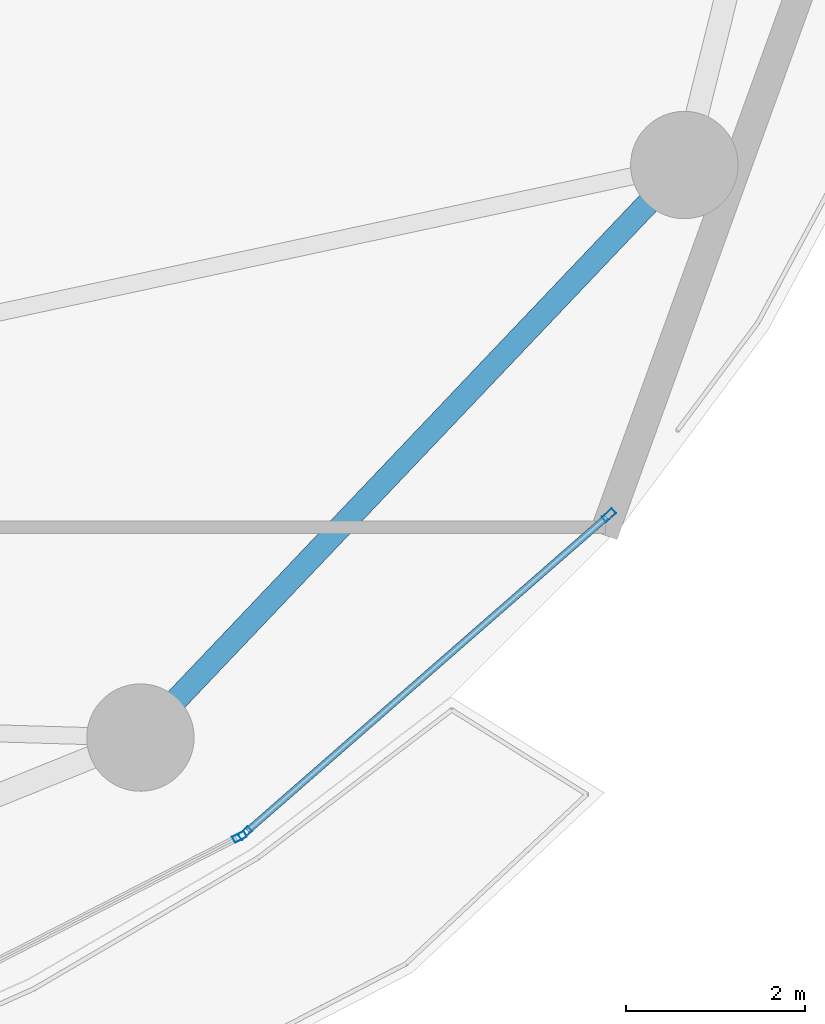
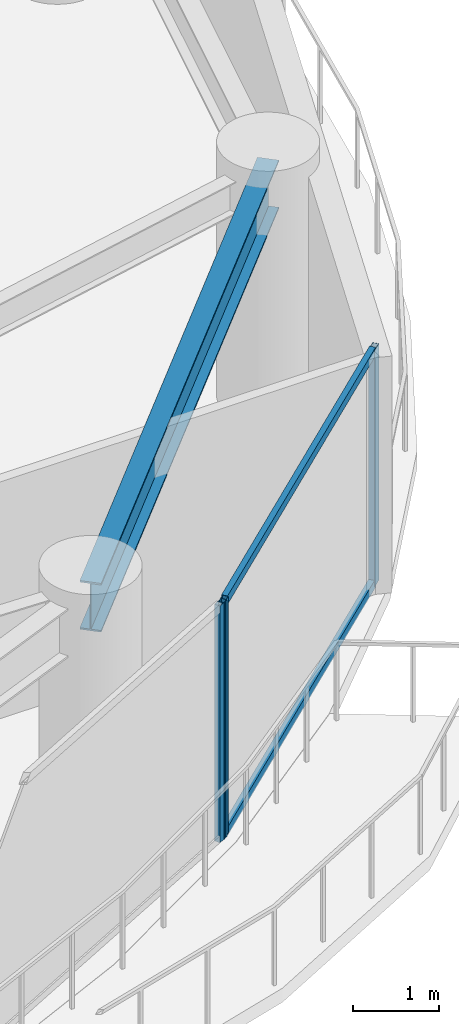
# One storey, part 13 of 30: 5 members, 1 beam, 2 elements without a shape of their own.
"""IFC4 building model written with IfcOpenShell, lengths in metres."""

from ifc_helpers import new_model, si_unit, direction, frame, origin, origin_2d, place, context, subcontext, project, spatial, hollow_rectangle, i_section, extrude, material, layer, layer_set, material_profile, profile_set, type_object, element, aggregate, save


model = new_model("IFC4")

# Units and contexts
model_context = context("Model", 3, precision=1e-05, world=origin(), true_north=direction((0.0, 1.0)))
body_context = subcontext(model_context, "Body", "Model", "MODEL_VIEW")
ifc_project = project(units=[si_unit("LENGTHUNIT", "METRE"), si_unit("AREAUNIT", "SQUARE_METRE"), si_unit("VOLUMEUNIT", "CUBIC_METRE"), si_unit("PLANEANGLEUNIT", "RADIAN"), si_unit("MASSUNIT", "GRAM", prefix="KILO")], contexts=[model_context])

# Site, building, storey
site_placement = place(None, origin())
site = spatial("IfcSite", under=ifc_project, at=site_placement, CompositionType="ELEMENT")
building_placement = place(site_placement, origin())
building = spatial("IfcBuilding", under=site, at=building_placement, Name="Kazevale Care Tower and Concert Hall", CompositionType="ELEMENT")
storey_placement = place(building_placement, frame((0.0, 0.0, 127.800048828125)))
storey = spatial("IfcBuildingStorey", under=building, at=storey_placement, Name="L33", CompositionType="ELEMENT", Elevation=127.800048828125)

# Curtain wall, members
ifc_material_1 = material(Name="Aluminium 6063-T6 and Low-E Glass", Category="aluminium")
ifc_layer = layer(ifc_material_1, 0.179931640625)
ifc_layer_set = layer_set([ifc_layer], Name="Aluminium 6063-T6 and Low-E Glass")
curtain_wall_type = type_object("IfcCurtainWallType", Name="Sheltered Concave Balcony Curtain Wall CW-5", PredefinedType="NOTDEFINED", material=ifc_layer_set)
curtain_wall_1_placement = place(storey_placement, origin())
curtain_wall_1 = element("IfcCurtainWall", 1, at=curtain_wall_1_placement, inside=storey, type_object=curtain_wall_type, Name="cw:L33:f02", PredefinedType="NOTDEFINED")
ifc_material_2 = material(Name="Aluminium 6063-T6", Category="aluminium")
ifc_material_profile_1 = material_profile(ifc_material_2, hollow_rectangle(XDim=0.074951171875, YDim=0.14990234375, WallThickness=0.00390625, at=origin_2d()), Name="ALU75x150x4")
ifc_profile_set_1 = profile_set([ifc_material_profile_1], Name="Aluminium 6063-T6")
member_type_1 = type_object("IfcMemberType", Name="CW-5 Mullion ALU75x150x4", PredefinedType="MULLION", material=ifc_profile_set_1)
member_1_placement = place(storey_placement, frame((70.06787109375, 25.477294921875, 0.0), z_axis=(0.0, 0.0, 1.0), x_axis=(0.657948668382, -0.753062779437, 0.0)))
member_1 = element("IfcMember", 2, at=member_1_placement, type_object=member_type_1, Name="CW-5 mullion 1", PredefinedType="MULLION", context=body_context, shape_type="SweptSolid", body=[
    extrude(hollow_rectangle(XDim=0.074951171875, YDim=0.14990234375, WallThickness=0.00390625, at=origin_2d()), origin(), (0.0, 0.0, 1.0), 3.35986328125),
])
member_2_placement = place(storey_placement, frame((65.999267578125, 21.922607421875, 0.0), z_axis=(0.0, 0.0, 1.0), x_axis=(0.657948668382, -0.753062779437, 0.0)))
member_2 = element("IfcMember", 3, at=member_2_placement, type_object=member_type_1, Name="CW-5 mullion 2", PredefinedType="MULLION", context=body_context, shape_type="SweptSolid", body=[
    extrude(hollow_rectangle(XDim=0.074951171875, YDim=0.14990234375, WallThickness=0.00390625, at=origin_2d()), origin(), (0.0, 0.0, 1.0), 3.35986328125),
])

# Curtain wall, member
curtain_wall_2_placement = place(storey_placement, origin())
curtain_wall_2 = element("IfcCurtainWall", 4, at=curtain_wall_2_placement, inside=storey, type_object=curtain_wall_type, Name="cw:L33:f03", PredefinedType="NOTDEFINED")
member_3_placement = place(storey_placement, frame((65.9375, 21.880859375, 0.0), z_axis=(0.0, 0.0, 1.0), x_axis=(0.455713236575, -0.890126646051, 0.0)))
member_3 = element("IfcMember", 5, at=member_3_placement, type_object=member_type_1, Name="CW-5 mullion 1", PredefinedType="MULLION", context=body_context, shape_type="SweptSolid", body=[
    extrude(hollow_rectangle(XDim=0.074951171875, YDim=0.14990234375, WallThickness=0.00390625, at=origin_2d()), origin(), (0.0, 0.0, 1.0), 3.35986328125),
])
aggregate(curtain_wall_2, [member_3])

# Member
ifc_material_profile_2 = material_profile(ifc_material_2, hollow_rectangle(XDim=0.074951171875, YDim=0.1201171875, WallThickness=0.00390625, at=origin_2d()), Name="ALU75x120x4")
ifc_profile_set_2 = profile_set([ifc_material_profile_2], Name="Aluminium 6063-T6")
member_type_2 = type_object("IfcMemberType", Name="CW-5 Transom ALU75x120x4", PredefinedType="USERDEFINED", material=ifc_profile_set_2)
member_4_placement = place(storey_placement, frame((70.03955078125, 25.45263671875, 0.037353515625), z_axis=(-0.753050570644, -0.657962641837, 0.0), x_axis=(0.657962641837, -0.753050570644, 0.0)))
member_4 = element("IfcMember", 6, at=member_4_placement, type_object=member_type_2, Name="CW-5 transom 1.1", ObjectType="TRANSOM", PredefinedType="USERDEFINED", context=body_context, shape_type="SweptSolid", body=[
    extrude(hollow_rectangle(XDim=0.074951171875, YDim=0.1201171875, WallThickness=0.00390625, at=origin_2d()), origin(), (0.0, 0.0, 1.0), 5.32763671875),
])

member_5_placement = place(storey_placement, frame((70.03955078125, 25.45263671875, 3.322509765625), z_axis=(-0.753050570644, -0.657962641837, 0.0), x_axis=(0.657962641837, -0.753050570644, 0.0)))
member_5 = element("IfcMember", 7, at=member_5_placement, type_object=member_type_2, Name="CW-5 transom 1.2", ObjectType="TRANSOM", PredefinedType="USERDEFINED", context=body_context, shape_type="SweptSolid", body=[
    extrude(hollow_rectangle(XDim=0.074951171875, YDim=0.1201171875, WallThickness=0.00390625, at=origin_2d()), origin(), (0.0, 0.0, 1.0), 5.32763671875),
])

aggregate(curtain_wall_1, [member_1, member_2, member_4, member_5])

# Beam
ifc_material_3 = material(Name="Steel ASTM A572 Gr 50", Category="steel")
ifc_material_profile_3 = material_profile(ifc_material_3, i_section(OverallWidth=0.256103515625, OverallDepth=0.693115234375, WebThickness=0.014404296875, FlangeThickness=0.023681640625, at=origin_2d()), Name="W690x170")
ifc_profile_set_3 = profile_set([ifc_material_profile_3], Name="Steel ASTM A572 Gr 50")
beam_type = type_object("IfcBeamType", Name="Waist Ring Beam W690x170", PredefinedType="BEAM", material=ifc_profile_set_3)
beam_placement = place(storey_placement, frame((64.830078125, 22.989990234375, 3.013427734375), z_axis=(0.688745100728, 0.725003576697, 0.0), x_axis=(-0.725003576697, 0.688745100728, 0.0)))
element("IfcBeam", 8, at=beam_placement, inside=storey, type_object=beam_type, Name="beam:L33:ring:15", PredefinedType="BEAM", context=body_context, shape_type="SweptSolid", body=[
    extrude(i_section(OverallWidth=0.256103515625, OverallDepth=0.693115234375, WebThickness=0.014404296875, FlangeThickness=0.023681640625, at=origin_2d()), origin(), (0.0, 0.0, 1.0), 8.827392578125),
])

save(model, "model.ifc")
